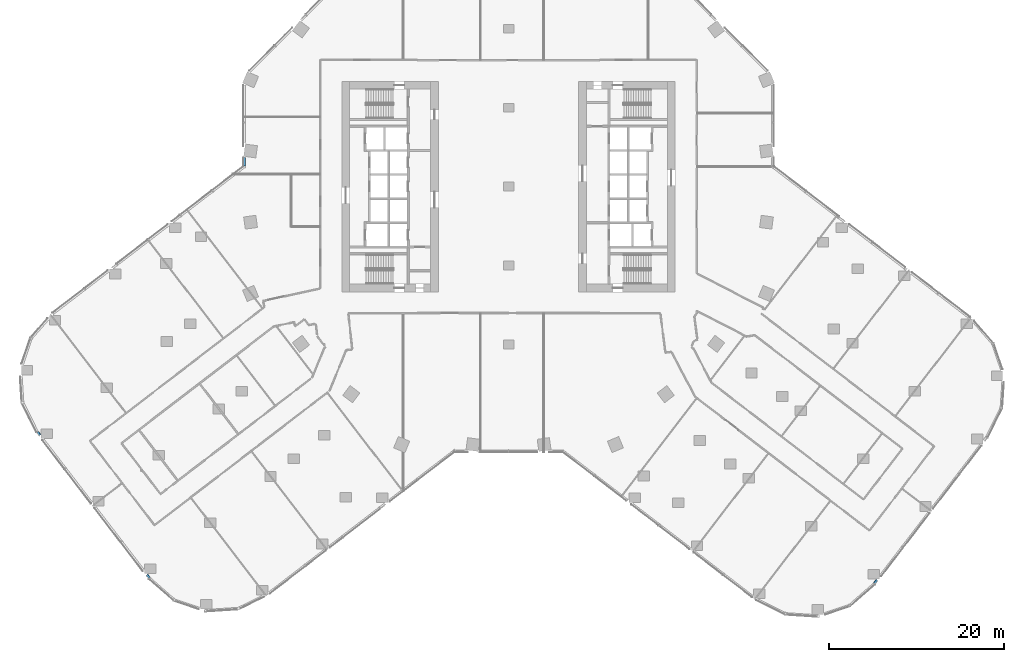
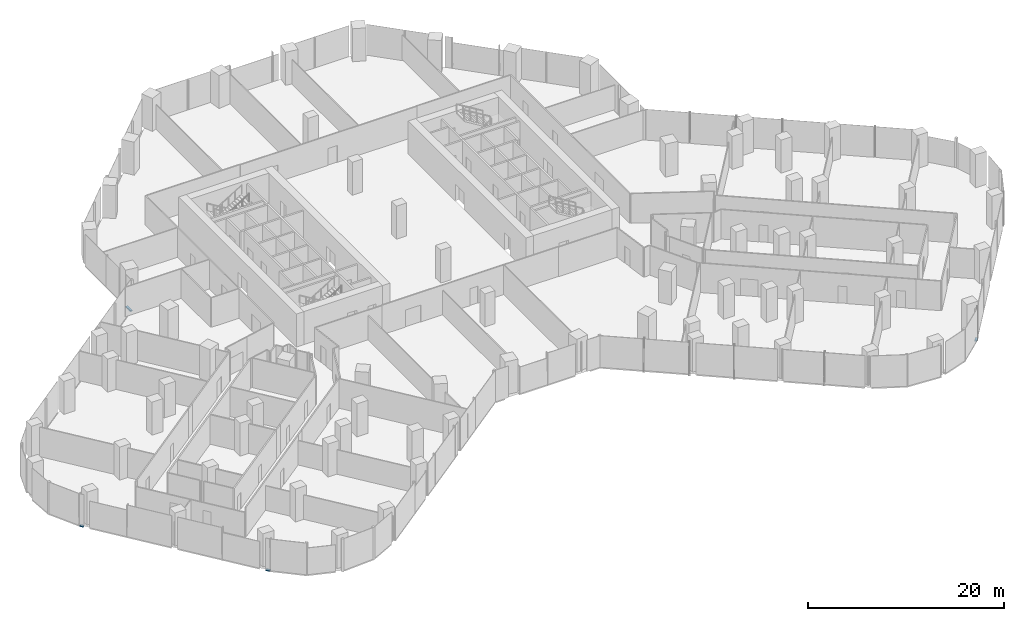
# One storey, part 12 of 29: 4 members, 3 elements without a shape of their own.
"""IFC4 building model written with IfcOpenShell, lengths in metres."""

from ifc_helpers import new_model, si_unit, direction, frame, origin, origin_2d, place, context, subcontext, project, spatial, rectangle, extrude, material, material_profile, profile_set, type_object, element, aggregate, save


model = new_model("IFC4")

# Units and contexts
model_context = context("Model", 3, precision=1e-05, world=origin(), true_north=direction((0.0, 1.0)))
body_context = subcontext(model_context, "Body", "Model", "MODEL_VIEW")
ifc_project = project(units=[si_unit("LENGTHUNIT", "METRE"), si_unit("AREAUNIT", "SQUARE_METRE"), si_unit("VOLUMEUNIT", "CUBIC_METRE"), si_unit("PLANEANGLEUNIT", "RADIAN"), si_unit("MASSUNIT", "GRAM", prefix="KILO")], contexts=[model_context])

# Site, building, storey
site_placement = place(None, origin())
site = spatial("IfcSite", under=ifc_project, at=site_placement, CompositionType="ELEMENT")
building_placement = place(site_placement, origin())
building = spatial("IfcBuilding", under=site, at=building_placement, Name="Orlundy Tower", CompositionType="ELEMENT")
storey_placement = place(building_placement, frame((0.0, 0.0, 29.199951171875)))
storey = spatial("IfcBuildingStorey", under=building, at=storey_placement, Name="L05", CompositionType="ELEMENT", Elevation=29.199951171875)

# Curtain wall, members
ifc_material_1 = material(Name="Aluminium bronze anodised", Category="aluminium")
curtain_wall_type = type_object("IfcCurtainWallType", Name="CW2 wall", PredefinedType="NOTDEFINED", material=ifc_material_1)
curtain_wall_1_placement = place(storey_placement, origin())
curtain_wall_1 = element("IfcCurtainWall", 1, at=curtain_wall_1_placement, inside=storey, type_object=curtain_wall_type, Name="CW2 run 07", PredefinedType="NOTDEFINED")
ifc_material_2 = material(Name="Aluminium bronze anodised", Category="aluminium")
ifc_material_profile = material_profile(ifc_material_2, rectangle(XDim=0.25, YDim=0.14990234375, at=origin_2d()), Name="CW2 transom 250x150")
ifc_profile_set = profile_set([ifc_material_profile], Name="Aluminium bronze anodised")
member_type = type_object("IfcMemberType", Name="CW2 transom 250x150", PredefinedType="USERDEFINED", material=ifc_profile_set)
member_1_placement = place(storey_placement, frame((-40.919921875, -44.617919921875, -0.324951171875), z_axis=(-0.608687084011, 0.79341038168, 0.0), x_axis=(-0.79341038168, -0.608687084011, 0.0)))
member_1 = element("IfcMember", 2, at=member_1_placement, type_object=member_type, Name="CW2 transom", ObjectType="TRANSOM", PredefinedType="USERDEFINED", context=body_context, shape_type="SweptSolid", body=[
    extrude(rectangle(XDim=0.25, YDim=0.14990234375, at=origin_2d()), origin(), (0.0, 0.0, 1.0), 0.461181640625),
])
member_2_placement = place(storey_placement, frame((-53.43310546875, -28.31005859375, -0.324951171875), z_axis=(-0.608810266529, 0.793315863556, 0.0), x_axis=(-0.793315863556, -0.608810266529, 0.0)))
member_2 = element("IfcMember", 3, at=member_2_placement, type_object=member_type, Name="CW2 transom", ObjectType="TRANSOM", PredefinedType="USERDEFINED", context=body_context, shape_type="SweptSolid", body=[
    extrude(rectangle(XDim=0.25, YDim=0.14990234375, at=origin_2d()), origin(), (0.0, 0.0, 1.0), 0.41943359375),
])
aggregate(curtain_wall_1, [member_1, member_2])

# Curtain wall, member
curtain_wall_2_placement = place(storey_placement, origin())
curtain_wall_2 = element("IfcCurtainWall", 4, at=curtain_wall_2_placement, inside=storey, type_object=curtain_wall_type, Name="CW2 run 013", PredefinedType="NOTDEFINED")
member_3_placement = place(storey_placement, frame((-30.125, 2.376708984375, -0.324951171875), z_axis=(0.0, 1.0, 0.0), x_axis=(-1.0, 0.0, 0.0)))
member_3 = element("IfcMember", 5, at=member_3_placement, type_object=member_type, Name="CW2 transom", ObjectType="TRANSOM", PredefinedType="USERDEFINED", context=body_context, shape_type="SweptSolid", body=[
    extrude(rectangle(XDim=0.25, YDim=0.14990234375, at=origin_2d()), origin(), (0.0, 0.0, 1.0), 0.92431640625),
])
aggregate(curtain_wall_2, [member_3])

curtain_wall_3_placement = place(storey_placement, origin())
curtain_wall_3 = element("IfcCurtainWall", 6, at=curtain_wall_3_placement, inside=storey, type_object=curtain_wall_type, Name="CW2 run 023", PredefinedType="NOTDEFINED")
member_4_placement = place(storey_placement, frame((41.99365234375, -44.860107421875, -0.324951171875), z_axis=(-0.608942775876, -0.79321415501, 0.0), x_axis=(0.79321415501, -0.608942775876, 0.0)))
member_4 = element("IfcMember", 7, at=member_4_placement, type_object=member_type, Name="CW2 transom", ObjectType="TRANSOM", PredefinedType="USERDEFINED", context=body_context, shape_type="SweptSolid", body=[
    extrude(rectangle(XDim=0.25, YDim=0.14990234375, at=origin_2d()), origin(), (0.0, 0.0, 1.0), 0.461181640625),
])
aggregate(curtain_wall_3, [member_4])

save(model, "model.ifc")
